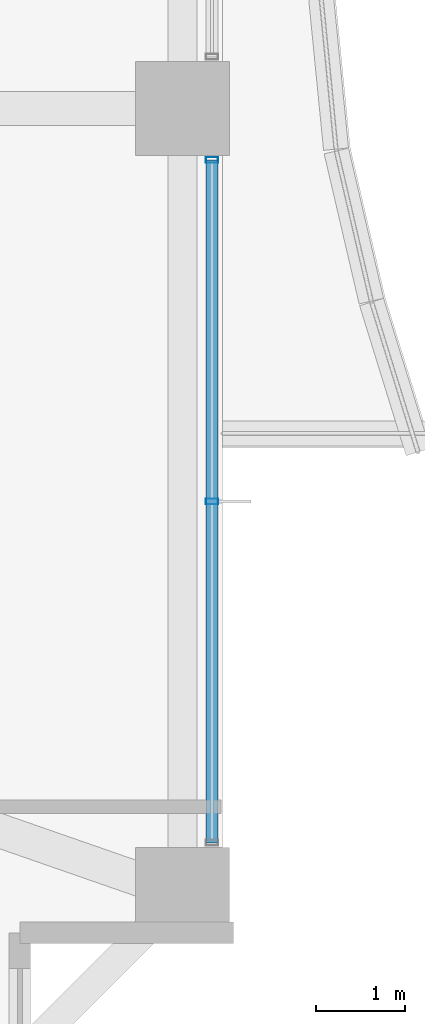
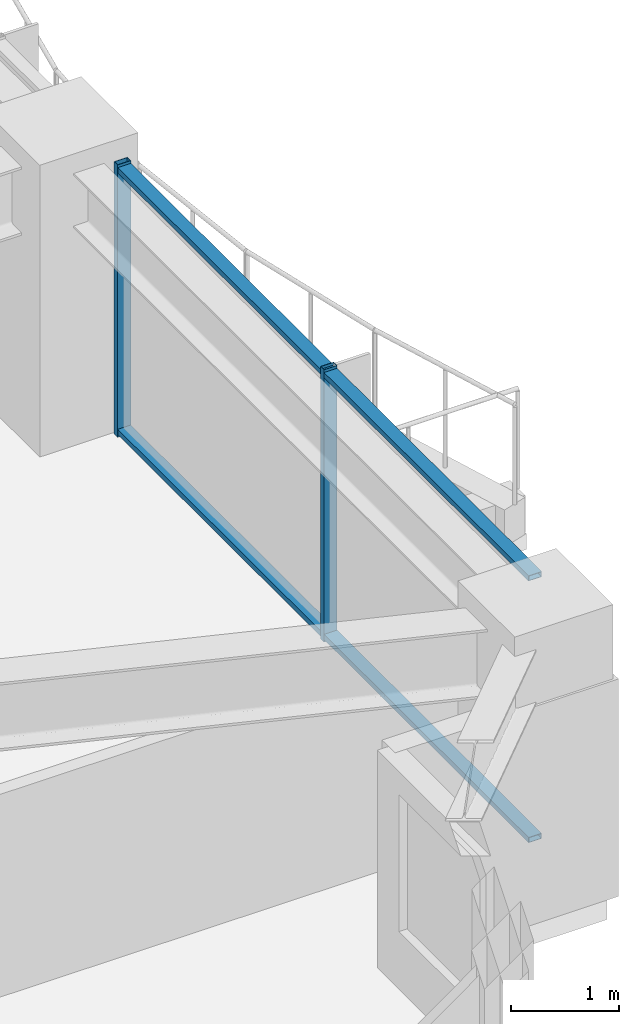
# One storey, part 15 of 36: 4 members, 1 element without a shape of its own.
"""IFC4 building model written with IfcOpenShell, lengths in metres."""

from ifc_helpers import new_model, si_unit, direction, frame, origin, origin_2d, place, context, subcontext, project, spatial, hollow_rectangle, extrude, material, material_profile, profile_set, type_object, element, aggregate, save


model = new_model("IFC4")

# Units and contexts
model_context = context("Model", 3, precision=1e-05, world=origin(), true_north=direction((0.0, 1.0)))
body_context = subcontext(model_context, "Body", "Model", "MODEL_VIEW")
ifc_project = project(units=[si_unit("LENGTHUNIT", "METRE"), si_unit("AREAUNIT", "SQUARE_METRE"), si_unit("VOLUMEUNIT", "CUBIC_METRE"), si_unit("PLANEANGLEUNIT", "RADIAN"), si_unit("MASSUNIT", "GRAM", prefix="KILO")], contexts=[model_context])

# Site, building, storey
site_placement = place(None, origin())
site = spatial("IfcSite", under=ifc_project, at=site_placement, CompositionType="ELEMENT")
building_placement = place(site_placement, origin())
building = spatial("IfcBuilding", under=site, at=building_placement, Name="Kolvaren Belvedere", CompositionType="ELEMENT")
storey_placement = place(building_placement, frame((0.0, 0.0, 92.0)))
storey = spatial("IfcBuildingStorey", under=building, at=storey_placement, Name="L26", CompositionType="ELEMENT", Elevation=92.0)

# Curtain wall, members
ifc_material_1 = material(Name="Anodised pale-metal aluminium AA 6063-T6", Category="aluminium")
curtain_wall_type = type_object("IfcCurtainWallType", Name="CW-Z2-MID", PredefinedType="NOTDEFINED", material=ifc_material_1)
curtain_wall_placement = place(storey_placement, origin())
curtain_wall = element("IfcCurtainWall", 1, at=curtain_wall_placement, inside=storey, type_object=curtain_wall_type, Name="L26 Unitised Curtain Wall FCW-L26-E2-B2", PredefinedType="NOTDEFINED")
ifc_material_2 = material(Name="Anodised pale-metal aluminium AA 6063-T6", Category="aluminium")
ifc_material_profile_1 = material_profile(ifc_material_2, hollow_rectangle(XDim=0.06494140625, YDim=0.139892578125, WallThickness=0.00390625, at=origin_2d()), Name="ALU-MUL-140X65")
ifc_profile_set_1 = profile_set([ifc_material_profile_1], Name="Anodised pale-metal aluminium AA 6063-T6")
member_type_1 = type_object("IfcMemberType", Name="CW-MUL-140", PredefinedType="MULLION", material=ifc_profile_set_1)
member_1_placement = place(storey_placement, frame((20.280029296875, -5.177490234375, 0.0), z_axis=(0.0, 0.0, 1.0), x_axis=(0.0, 1.0, 0.0)))
member_1 = element("IfcMember", 2, at=member_1_placement, type_object=member_type_1, Name="FCW-L26-E2-B2 Unitised Mullion 1", PredefinedType="MULLION", context=body_context, shape_type="SweptSolid", body=[
    extrude(hollow_rectangle(XDim=0.06494140625, YDim=0.139892578125, WallThickness=0.00390625, at=origin_2d()), origin(), (0.0, 0.0, 1.0), 3.080078125),
])
member_2_placement = place(storey_placement, frame((20.280029296875, -9.0, 0.0), z_axis=(0.0, 0.0, 1.0), x_axis=(0.0, 1.0, 0.0)))
member_2 = element("IfcMember", 3, at=member_2_placement, type_object=member_type_1, Name="FCW-L26-E2-B2 Unitised Mullion 2", PredefinedType="MULLION", context=body_context, shape_type="SweptSolid", body=[
    extrude(hollow_rectangle(XDim=0.06494140625, YDim=0.139892578125, WallThickness=0.00390625, at=origin_2d()), origin(), (0.0, 0.0, 1.0), 3.080078125),
])
ifc_material_3 = material(Name="Anodised pale-metal aluminium AA 6063-T6", Category="aluminium")
ifc_material_profile_2 = material_profile(ifc_material_3, hollow_rectangle(XDim=0.06005859375, YDim=0.139892578125, WallThickness=0.00390625, at=origin_2d()), Name="ALU-TRN-140X60")
ifc_profile_set_2 = profile_set([ifc_material_profile_2], Name="Anodised pale-metal aluminium AA 6063-T6")
member_type_2 = type_object("IfcMemberType", Name="CW-TRN-140", PredefinedType="USERDEFINED", material=ifc_profile_set_2)
member_3_placement = place(storey_placement, frame((20.280029296875, -5.177490234375, 0.06005859375), z_axis=(0.0, -1.0, 0.0), x_axis=(0.0, 0.0, 1.0)))
member_3 = element("IfcMember", 4, at=member_3_placement, type_object=member_type_2, Name="FCW-L26-E2-B2 Sill Transom", ObjectType="TRANSOM", PredefinedType="USERDEFINED", context=body_context, shape_type="SweptSolid", body=[
    extrude(hollow_rectangle(XDim=0.06005859375, YDim=0.139892578125, WallThickness=0.00390625, at=origin_2d()), origin(), (0.0, 0.0, 1.0), 7.64501953125),
])
member_4_placement = place(storey_placement, frame((20.280029296875, -5.177490234375, 3.02001953125), z_axis=(0.0, -1.0, 0.0), x_axis=(0.0, 0.0, 1.0)))
member_4 = element("IfcMember", 5, at=member_4_placement, type_object=member_type_2, Name="FCW-L26-E2-B2 Head Transom", ObjectType="TRANSOM", PredefinedType="USERDEFINED", context=body_context, shape_type="SweptSolid", body=[
    extrude(hollow_rectangle(XDim=0.06005859375, YDim=0.139892578125, WallThickness=0.00390625, at=origin_2d()), origin(), (0.0, 0.0, 1.0), 7.64501953125),
])
aggregate(curtain_wall, [member_1, member_2, member_3, member_4])

save(model, "model.ifc")
